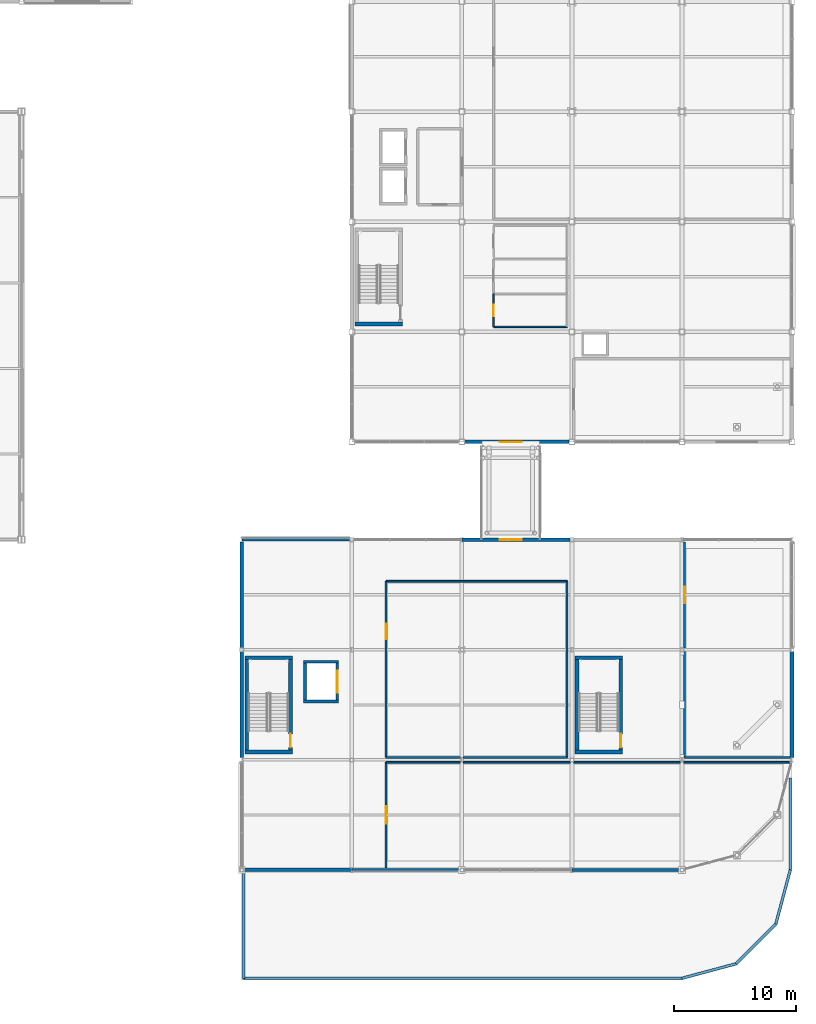
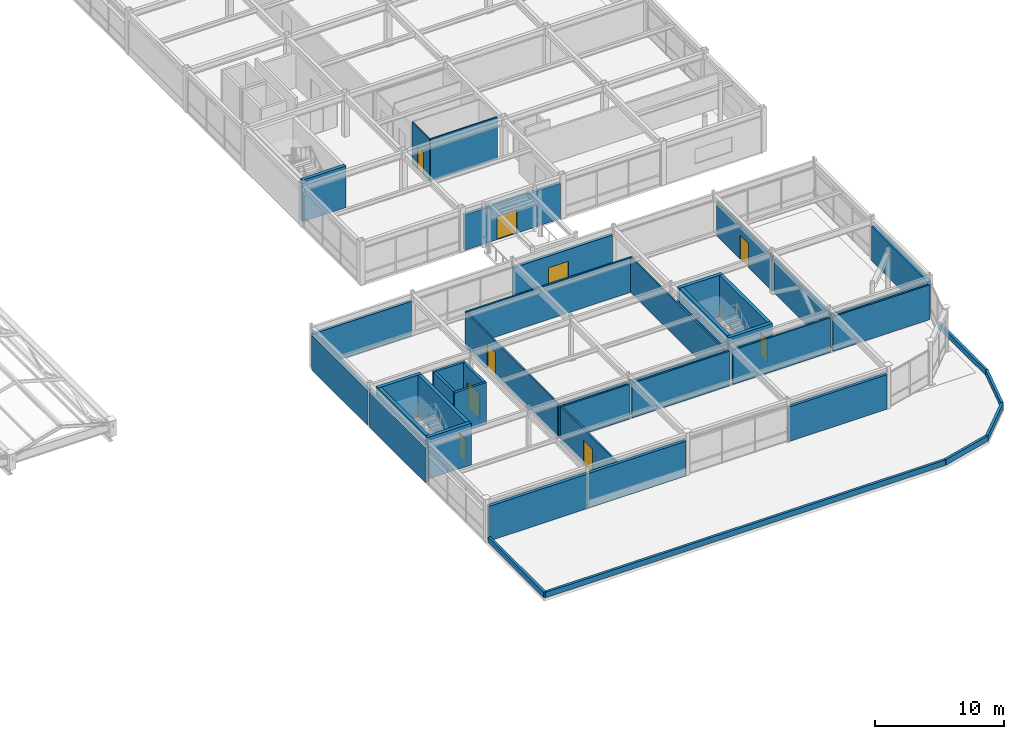
# One storey, part 81 of 108: 43 walls, 9 doors, 9 openings.
"""IFC4 building model written with IfcOpenShell, lengths in metres."""

from ifc_helpers import new_model, si_unit, direction, frame, frame_2d, origin, place, context, subcontext, project, spatial, rectangle, extrude, material, layer, layer_set, type_object, element, fill, save


model = new_model("IFC4")

# Units and contexts
model_context = context("Model", 3, precision=1e-05, world=origin(), true_north=direction((0.0, 1.0)))
body_context = subcontext(model_context, "Body", "Model", "MODEL_VIEW")
ifc_project = project(units=[si_unit("LENGTHUNIT", "METRE"), si_unit("AREAUNIT", "SQUARE_METRE"), si_unit("VOLUMEUNIT", "CUBIC_METRE"), si_unit("PLANEANGLEUNIT", "RADIAN"), si_unit("MASSUNIT", "GRAM", prefix="KILO")], contexts=[model_context])

# Site, building, storey
site_placement = place(None, origin())
site = spatial("IfcSite", under=ifc_project, at=site_placement, CompositionType="ELEMENT")
building_placement = place(site_placement, origin())
building = spatial("IfcBuilding", under=site, at=building_placement, Name="Suzunagisa Mobility Hub", CompositionType="ELEMENT")
storey_placement = place(building_placement, frame((0.0, 0.0, 9.300048828125)))
storey = spatial("IfcBuildingStorey", under=building, at=storey_placement, Name="L02", CompositionType="ELEMENT", Elevation=9.300048828125)

# Walls
ifc_material_1 = material(Name="Porcelain-Faced Insulated Concrete C30/37 Wall", Category="concrete")
ifc_layer_1 = layer(ifc_material_1, 0.260009765625)
ifc_layer_set_1 = layer_set([ifc_layer_1], Name="Porcelain-Faced Insulated Concrete C30/37 Wall")
wall_type_1 = type_object("IfcWallType", Name="Exterior Wall EW-03 260mm", PredefinedType="SOLIDWALL", material=ifc_layer_set_1)
wall_1_placement = place(storey_placement, frame((144.00439453125, 9.0, 0.0), z_axis=(0.0, 0.0, 1.0), x_axis=(1.0, 0.0, 0.0)))
element("IfcWall", 1, at=wall_1_placement, inside=storey, type_object=wall_type_1, Name="L02 Exterior Facade Wall EW-310", PredefinedType="SOLIDWALL", context=body_context, shape_type="SweptSolid", body=[
    extrude(rectangle(XDim=8.845703125, YDim=0.260009765625, at=frame_2d((4.4228515625, 0.0))), origin(), (0.0, 0.0, 1.0), 3.2900390625),
])
ifc_material_2 = material(Name="Lightweight Insulated Autoclaved Concrete C30/37 Wall", Category="concrete")
ifc_layer_2 = layer(ifc_material_2, 0.239990234375)
ifc_layer_set_2 = layer_set([ifc_layer_2], Name="Lightweight Insulated Autoclaved Concrete C30/37 Wall")
wall_type_2 = type_object("IfcWallType", Name="Exterior Wall EW-04 240mm", PredefinedType="SOLIDWALL", material=ifc_layer_set_2)
wall_2_placement = place(storey_placement, frame((162.00439453125, 9.0, 0.0), z_axis=(0.0, 0.0, 1.0), x_axis=(1.0, 0.0, 0.0)))
element("IfcWall", 2, at=wall_2_placement, inside=storey, type_object=wall_type_2, Name="L02 Exterior Facade Wall EW-311", PredefinedType="SOLIDWALL", context=body_context, shape_type="SweptSolid", body=[
    extrude(rectangle(XDim=8.845703125, YDim=0.239990234375, at=frame_2d((4.4228515625, 0.0))), origin(), (0.0, 0.0, 1.0), 3.2900390625),
])
wall_3_placement = place(storey_placement, frame((143.85009765625, 36.0, 0.0), z_axis=(0.0, 0.0, 1.0), x_axis=(-1.0, 0.0, 0.0)))
element("IfcWall", 3, at=wall_3_placement, inside=storey, type_object=wall_type_2, Name="L02 Exterior Facade Wall EW-315", PredefinedType="SOLIDWALL", context=body_context, shape_type="SweptSolid", body=[
    extrude(rectangle(XDim=8.845703125, YDim=0.239990234375, at=frame_2d((4.4228515625, 0.0))), origin(), (0.0, 0.0, 1.0), 3.300048828125),
])
ifc_material_3 = material(Name="Concrete C30/37", Category="concrete")
ifc_layer_3 = layer(ifc_material_3, 0.219970703125)
ifc_layer_set_3 = layer_set([ifc_layer_3], Name="Concrete C30/37")
wall_type_3 = type_object("IfcWallType", Name="Exterior Wall EW-05 220mm", PredefinedType="PARAPET", material=ifc_layer_set_3)
wall_4_placement = place(storey_placement, frame((135.139892578125, 0.139892578125, 0.0), z_axis=(0.0, 0.0, 1.0), x_axis=(0.0, 1.0, 0.0)))
element("IfcWall", 4, at=wall_4_placement, inside=storey, type_object=wall_type_3, Name="L02 Roof Setback Parapet PR-471", PredefinedType="PARAPET", context=body_context, shape_type="SweptSolid", body=[
    extrude(rectangle(XDim=8.610107421875, YDim=0.219970703125, at=frame_2d((4.30517578125, 0.0))), origin(), (0.0, 0.0, 1.0), 0.52001953125),
])
wall_5_placement = place(storey_placement, frame((179.860107421875, 16.51171875, 0.0), z_axis=(0.0, 0.0, 1.0), x_axis=(0.0, -1.0, 0.0)))
element("IfcWall", 5, at=wall_5_placement, inside=storey, type_object=wall_type_3, Name="L02 Roof Setback Parapet PR-472", PredefinedType="PARAPET", context=body_context, shape_type="SweptSolid", body=[
    extrude(rectangle(XDim=7.493408203125, YDim=0.219970703125, at=frame_2d((3.74658203125, 0.0))), origin(), (0.0, 0.0, 1.0), 0.52001953125),
])
wall_6_placement = place(storey_placement, frame((179.860107421875, 9.018310546875, 0.0), z_axis=(0.0, 0.0, 1.0), x_axis=(-0.258850976204, -0.965917269811, 0.0)))
element("IfcWall", 6, at=wall_6_placement, inside=storey, type_object=wall_type_3, Name="L02 Roof Setback Parapet PR-473", PredefinedType="PARAPET", context=body_context, shape_type="SweptSolid", body=[
    extrude(rectangle(XDim=4.602783203125, YDim=0.219970703125, at=frame_2d((2.30126953125, 0.0))), origin(), (0.0, 0.0, 1.0), 0.52001953125),
])
wall_7_placement = place(storey_placement, frame((178.668701171875, 4.572509765625, 0.0), z_axis=(0.0, 0.0, 1.0), x_axis=(-0.707106781187, -0.707106781187, 0.0)))
element("IfcWall", 7, at=wall_7_placement, inside=storey, type_object=wall_type_3, Name="L02 Roof Setback Parapet PR-474", PredefinedType="PARAPET", context=body_context, shape_type="SweptSolid", body=[
    extrude(rectangle(XDim=4.583740234375, YDim=0.219970703125, at=frame_2d((2.2919921875, 0.0))), origin(), (0.0, 0.0, 1.0), 0.52001953125),
])
wall_8_placement = place(storey_placement, frame((175.427490234375, 1.331298828125, 0.0), z_axis=(0.0, 0.0, 1.0), x_axis=(-0.965917269811, -0.258850976204, 0.0)))
element("IfcWall", 8, at=wall_8_placement, inside=storey, type_object=wall_type_3, Name="L02 Roof Setback Parapet PR-475", PredefinedType="PARAPET", context=body_context, shape_type="SweptSolid", body=[
    extrude(rectangle(XDim=4.602783203125, YDim=0.219970703125, at=frame_2d((2.30126953125, 0.0))), origin(), (0.0, 0.0, 1.0), 0.52001953125),
])
wall_9_placement = place(storey_placement, frame((170.981689453125, 0.139892578125, 0.0), z_axis=(0.0, 0.0, 1.0), x_axis=(-1.0, 0.0, 0.0)))
element("IfcWall", 9, at=wall_9_placement, inside=storey, type_object=wall_type_3, Name="L02 Roof Setback Parapet PR-476", PredefinedType="PARAPET", context=body_context, shape_type="SweptSolid", body=[
    extrude(rectangle(XDim=35.841796875, YDim=0.219970703125, at=frame_2d((17.9208984375, 0.0))), origin(), (0.0, 0.0, 1.0), 0.52001953125),
])
ifc_layer_4 = layer(ifc_material_1, 0.280029296875)
ifc_layer_set_4 = layer_set([ifc_layer_4], Name="Porcelain-Faced Insulated Concrete C30/37 Wall")
wall_type_4 = type_object("IfcWallType", Name="Exterior Wall EW-08 280mm", PredefinedType="SOLIDWALL", material=ifc_layer_set_4)
wall_10_placement = place(storey_placement, frame((135.14990234375, 9.0, 0.0), z_axis=(0.0, 0.0, 1.0), x_axis=(1.0, 0.0, 0.0)))
element("IfcWall", 10, at=wall_10_placement, inside=storey, type_object=wall_type_4, Name="L02 Exterior Facade Wall EW-309", PredefinedType="SOLIDWALL", context=body_context, shape_type="SweptSolid", body=[
    extrude(rectangle(XDim=8.845703125, YDim=0.280029296875, at=frame_2d((4.4228515625, 0.0))), origin(), (0.0, 0.0, 1.0), 3.2900390625),
])

# Wall, opening, door
wall_11_placement = place(storey_placement, frame((161.85009765625, 36.0, 0.0), z_axis=(0.0, 0.0, 1.0), x_axis=(-1.0, 0.0, 0.0)))
wall_11 = element("IfcWall", 11, at=wall_11_placement, inside=storey, type_object=wall_type_4, Name="L02 Skybridge Portal Facade Wall 314", PredefinedType="SOLIDWALL", context=body_context, shape_type="SweptSolid", body=[
    extrude(rectangle(XDim=8.845703125, YDim=0.280029296875, at=frame_2d((4.4228515625, 0.0))), origin(), (0.0, 0.0, 1.0), 3.300048828125),
])
opening_1_placement = place(wall_11_placement, frame((5.75, 0.0, 0.0), z_axis=(0.0, 0.0, 1.0), x_axis=(-1.0, 0.0, 0.0)))
opening_1 = element("IfcOpeningElement", 12, at=opening_1_placement, cuts=wall_11, Name="Opening ED-12", PredefinedType="OPENING", context=body_context, shape_type="SweptSolid", body=[
    extrude(rectangle(XDim=1.800048828125, YDim=2.199951171875, at=frame_2d((0.89990234375, 1.10009765625))), frame((0.0, 0.15087890625, 0.0), z_axis=(0.0, -1.0, 0.0), x_axis=(1.0, 0.0, 0.0)), (0.0, 0.0, 1.0), 0.302001953125),
])
ifc_material_4 = material(Name="Anodized Aluminum and Tempered Safety Glass", Category="aluminium")
door_type_1 = type_object("IfcDoorType", Name="Exterior Glazed Aluminum Door ED-12 1800x2200", OperationType="DOUBLE_DOOR_SINGLE_SWING", PredefinedType="DOOR", material=ifc_material_4)
door_1_placement = place(opening_1_placement, origin())
door_1 = element("IfcDoor", 13, at=door_1_placement, inside=storey, type_object=door_type_1, Name="L02 Skybridge Portal Glazed Door BD-34", OperationType="SINGLE_SWING_LEFT", OverallHeight=2.199951171875, OverallWidth=1.800048828125, PredefinedType="DOOR", context=body_context, shape_type="SweptSolid", body=[
    extrude(rectangle(XDim=1.800048828125, YDim=2.199951171875, at=frame_2d((0.89990234375, 1.10009765625))), frame((0.0, 0.02490234375, 0.0), z_axis=(0.0, -1.0, 0.0), x_axis=(1.0, 0.0, 0.0)), (0.0, 0.0, 1.0), 0.050048828125),
])
fill(opening_1, door_1)

# Wall
wall_12_placement = place(storey_placement, frame((135.0, 26.85009765625, 0.0), z_axis=(0.0, 0.0, 1.0), x_axis=(0.0, -1.0, 0.0)))
element("IfcWall", 14, at=wall_12_placement, inside=storey, type_object=wall_type_4, Name="L02 Exterior Facade Wall EW-317", PredefinedType="SOLIDWALL", context=body_context, shape_type="SweptSolid", body=[
    extrude(rectangle(XDim=8.68017578125, YDim=0.280029296875, at=frame_2d((4.340087890625, 0.0))), origin(), (0.0, 0.0, 1.0), 3.2900390625),
])

# Wall, opening, door
wall_13_placement = place(storey_placement, frame((153.22509765625, 44.0, 0.0), z_axis=(0.0, 0.0, 1.0), x_axis=(1.0, 0.0, 0.0)))
wall_13 = element("IfcWall", 15, at=wall_13_placement, inside=storey, type_object=wall_type_4, Name="L02 Skybridge Portal Facade Wall 370", PredefinedType="SOLIDWALL", context=body_context, shape_type="SweptSolid", body=[
    extrude(rectangle(XDim=8.5498046875, YDim=0.280029296875, at=frame_2d((4.27490234375, 0.0))), origin(), (0.0, 0.0, 1.0), 3.362060546875),
])
opening_2_placement = place(wall_13_placement, frame((4.675048828125, 0.0, 0.0), z_axis=(0.0, 0.0, 1.0), x_axis=(-1.0, 0.0, 0.0)))
opening_2 = element("IfcOpeningElement", 16, at=opening_2_placement, cuts=wall_13, Name="Opening ED-12", PredefinedType="OPENING", context=body_context, shape_type="SweptSolid", body=[
    extrude(rectangle(XDim=1.800048828125, YDim=2.199951171875, at=frame_2d((0.89990234375, 1.10009765625))), frame((0.0, 0.15087890625, 0.0), z_axis=(0.0, -1.0, 0.0), x_axis=(1.0, 0.0, 0.0)), (0.0, 0.0, 1.0), 0.302001953125),
])
door_2_placement = place(opening_2_placement, origin())
door_2 = element("IfcDoor", 17, at=door_2_placement, inside=storey, type_object=door_type_1, Name="L02 Skybridge Portal Glazed Door BD-38", OperationType="SINGLE_SWING_LEFT", OverallHeight=2.199951171875, OverallWidth=1.800048828125, PredefinedType="DOOR", context=body_context, shape_type="SweptSolid", body=[
    extrude(rectangle(XDim=1.800048828125, YDim=2.199951171875, at=frame_2d((0.89990234375, 1.10009765625))), frame((0.0, 0.02490234375, 0.0), z_axis=(0.0, -1.0, 0.0), x_axis=(1.0, 0.0, 0.0)), (0.0, 0.0, 1.0), 0.050048828125),
])
fill(opening_2, door_2)

# Walls
ifc_material_5 = material(Name="Insulated Precast Concrete C35/45 Panel", Category="concrete")
ifc_layer_5 = layer(ifc_material_5, 0.300048828125)
ifc_layer_set_5 = layer_set([ifc_layer_5], Name="Insulated Precast Concrete C35/45 Panel")
wall_type_5 = type_object("IfcWallType", Name="Exterior Wall EW-09 300mm", PredefinedType="SOLIDWALL", material=ifc_layer_set_5)
for number, where, z_axis, x_axis, name in (
    (18, (180.0, 18.169921875, 0.0), (0.0, 0.0, 1.0), (0.0, 1.0, 0.0), "L02 Exterior Facade Wall EW-312"),
    (19, (135.0, 35.830078125, 0.0), (0.0, 0.0, 1.0), (0.0, -1.0, 0.0), "L02 Exterior Facade Wall EW-316"),
):
    element("IfcWall", number, at=place(storey_placement, frame(where, z_axis=z_axis, x_axis=x_axis)), inside=storey, type_object=wall_type_5, Name=name, PredefinedType="SOLIDWALL", context=body_context, shape_type="SweptSolid", body=[
        extrude(rectangle(XDim=8.68017578125, YDim=0.300048828125, at=frame_2d((4.340087890625, 0.0))), origin(), (0.0, 0.0, 1.0), 3.2900390625),
    ])
ifc_material_6 = material(Name="Concrete C35/45", Category="concrete")
ifc_layer_6 = layer(ifc_material_6, 0.31005859375)
ifc_layer_set_6 = layer_set([ifc_layer_6], Name="Concrete C35/45")
wall_type_6 = type_object("IfcWallType", Name="Interior Wall IW-01 310mm", PredefinedType="SHEAR", material=ifc_layer_set_6)
for number, where, z_axis, x_axis, name in (
    (20, (135.25, 18.64501953125, 0.0), (0.0, 0.0, 1.0), (1.0, 0.0, 0.0), "L02 Core C7 Shear Wall SW-325"),
    (21, (135.25, 26.35498046875, 0.0), (0.0, 0.0, 1.0), (1.0, 0.0, 0.0), "L02 Core C7 Shear Wall SW-326"),
):
    element("IfcWall", number, at=place(storey_placement, frame(where, z_axis=z_axis, x_axis=x_axis)), inside=storey, type_object=wall_type_6, Name=name, PredefinedType="SHEAR", context=body_context, shape_type="SweptSolid", body=[
        extrude(rectangle(XDim=3.89990234375, YDim=0.31005859375, at=frame_2d((1.949951171875, 0.0))), origin(), (0.0, 0.0, 1.0), 3.949951171875),
    ])
wall_14_placement = place(storey_placement, frame((135.405029296875, 18.800048828125, 0.0), z_axis=(0.0, 0.0, 1.0), x_axis=(0.0, 1.0, 0.0)))
element("IfcWall", 22, at=wall_14_placement, inside=storey, type_object=wall_type_6, Name="L02 Core C7 Shear Wall SW-327", PredefinedType="SHEAR", context=body_context, shape_type="SweptSolid", body=[
    extrude(rectangle(XDim=7.39990234375, YDim=0.31005859375, at=frame_2d((3.699951171875, 0.0))), origin(), (0.0, 0.0, 1.0), 3.949951171875),
])

# Wall, opening, door
wall_15_placement = place(storey_placement, frame((138.9951171875, 18.800048828125, 0.0), z_axis=(0.0, 0.0, 1.0), x_axis=(0.0, 1.0, 0.0)))
wall_15 = element("IfcWall", 23, at=wall_15_placement, inside=storey, type_object=wall_type_6, Name="L02 Core C7 Shear Wall SW-328", PredefinedType="SHEAR", context=body_context, shape_type="SweptSolid", body=[
    extrude(rectangle(XDim=7.39990234375, YDim=0.31005859375, at=frame_2d((3.699951171875, 0.0))), origin(), (0.0, 0.0, 1.0), 3.949951171875),
])
opening_3_placement = place(wall_15_placement, frame((0.219970703125, 0.0, 0.0)))
opening_3 = element("IfcOpeningElement", 24, at=opening_3_placement, cuts=wall_15, Name="Opening DR-05", PredefinedType="OPENING", context=body_context, shape_type="SweptSolid", body=[
    extrude(rectangle(XDim=1.10009765625, YDim=2.14990234375, at=frame_2d((0.550048828125, 1.074951171875))), frame((0.0, 0.166015625, 0.0), z_axis=(0.0, -1.0, 0.0), x_axis=(1.0, 0.0, 0.0)), (0.0, 0.0, 1.0), 0.33203125),
])
ifc_material_7 = material(Name="Fire-Rated Hollow Steel Stair Door", Category="steel")
door_type_2 = type_object("IfcDoorType", Name="Interior Door DR-05 1100x2150", OperationType="SINGLE_SWING_LEFT", PredefinedType="DOOR", material=ifc_material_7)
door_3_placement = place(opening_3_placement, origin())
door_3 = element("IfcDoor", 25, at=door_3_placement, inside=storey, type_object=door_type_2, Name="L02 Core C7 Escape Stair Fire Door SD-80", OperationType="SINGLE_SWING_LEFT", OverallHeight=2.14990234375, OverallWidth=1.10009765625, PredefinedType="DOOR", context=body_context, shape_type="SweptSolid", body=[
    extrude(rectangle(XDim=1.10009765625, YDim=2.14990234375, at=frame_2d((0.550048828125, 1.074951171875))), frame((0.0, 0.02490234375, 0.0), z_axis=(0.0, -1.0, 0.0), x_axis=(1.0, 0.0, 0.0)), (0.0, 0.0, 1.0), 0.050048828125),
])
fill(opening_3, door_3)

# Walls
for number, where, z_axis, x_axis, name in (
    (26, (162.25, 18.64501953125, 0.0), (0.0, 0.0, 1.0), (1.0, 0.0, 0.0), "L02 Core C7B Shear Wall SW-357"),
    (27, (162.25, 26.35498046875, 0.0), (0.0, 0.0, 1.0), (1.0, 0.0, 0.0), "L02 Core C7B Shear Wall SW-358"),
):
    element("IfcWall", number, at=place(storey_placement, frame(where, z_axis=z_axis, x_axis=x_axis)), inside=storey, type_object=wall_type_6, Name=name, PredefinedType="SHEAR", context=body_context, shape_type="SweptSolid", body=[
        extrude(rectangle(XDim=3.89990234375, YDim=0.31005859375, at=frame_2d((1.949951171875, 0.0))), origin(), (0.0, 0.0, 1.0), 3.949951171875),
    ])
wall_16_placement = place(storey_placement, frame((162.405029296875, 18.800048828125, 0.0), z_axis=(0.0, 0.0, 1.0), x_axis=(0.0, 1.0, 0.0)))
element("IfcWall", 28, at=wall_16_placement, inside=storey, type_object=wall_type_6, Name="L02 Core C7B Shear Wall SW-359", PredefinedType="SHEAR", context=body_context, shape_type="SweptSolid", body=[
    extrude(rectangle(XDim=7.39990234375, YDim=0.31005859375, at=frame_2d((3.699951171875, 0.0))), origin(), (0.0, 0.0, 1.0), 3.949951171875),
])

# Wall, opening, door
wall_17_placement = place(storey_placement, frame((165.9951171875, 18.800048828125, 0.0), z_axis=(0.0, 0.0, 1.0), x_axis=(0.0, 1.0, 0.0)))
wall_17 = element("IfcWall", 29, at=wall_17_placement, inside=storey, type_object=wall_type_6, Name="L02 Core C7B Shear Wall SW-360", PredefinedType="SHEAR", context=body_context, shape_type="SweptSolid", body=[
    extrude(rectangle(XDim=7.39990234375, YDim=0.31005859375, at=frame_2d((3.699951171875, 0.0))), origin(), (0.0, 0.0, 1.0), 3.949951171875),
])
opening_4_placement = place(wall_17_placement, frame((0.219970703125, 0.0, 0.0)))
opening_4 = element("IfcOpeningElement", 30, at=opening_4_placement, cuts=wall_17, Name="Opening DR-05", PredefinedType="OPENING", context=body_context, shape_type="SweptSolid", body=[
    extrude(rectangle(XDim=1.10009765625, YDim=2.14990234375, at=frame_2d((0.550048828125, 1.074951171875))), frame((0.0, 0.166015625, 0.0), z_axis=(0.0, -1.0, 0.0), x_axis=(1.0, 0.0, 0.0)), (0.0, 0.0, 1.0), 0.33203125),
])
door_4_placement = place(opening_4_placement, origin())
door_4 = element("IfcDoor", 31, at=door_4_placement, inside=storey, type_object=door_type_2, Name="L02 Core C7B Escape Stair Fire Door SD-87", OperationType="SINGLE_SWING_RIGHT", OverallHeight=2.14990234375, OverallWidth=1.10009765625, PredefinedType="DOOR", context=body_context, shape_type="SweptSolid", body=[
    extrude(rectangle(XDim=1.10009765625, YDim=2.14990234375, at=frame_2d((0.550048828125, 1.074951171875))), frame((0.0, 0.02490234375, 0.0), z_axis=(0.0, -1.0, 0.0), x_axis=(1.0, 0.0, 0.0)), (0.0, 0.0, 1.0), 0.050048828125),
])
fill(opening_4, door_4)

# Walls
wall_18_placement = place(storey_placement, frame((144.25, 53.64501953125, 0.0), z_axis=(0.0, 0.0, 1.0), x_axis=(1.0, 0.0, 0.0)))
element("IfcWall", 32, at=wall_18_placement, inside=storey, type_object=wall_type_6, Name="L02 Core C5 Shear Wall SW-401", PredefinedType="SHEAR", context=body_context, shape_type="SweptSolid", body=[
    extrude(rectangle(XDim=3.89990234375, YDim=0.31005859375, at=frame_2d((1.949951171875, 0.0))), origin(), (0.0, 0.0, 1.0), 3.949951171875),
])
ifc_material_8 = material(Name="Moisture-Resistant Gypsum Partition", Category="gypsum")
ifc_layer_7 = layer(ifc_material_8, 0.1201171875)
ifc_layer_set_7 = layer_set([ifc_layer_7], Name="Moisture-Resistant Gypsum Partition")
wall_type_7 = type_object("IfcWallType", Name="Interior Wall IW-02 120mm", PredefinedType="PARTITIONING", material=ifc_layer_set_7)
wall_19_placement = place(storey_placement, frame((155.60009765625, 53.39990234375, 0.0), z_axis=(0.0, 0.0, 1.0), x_axis=(1.0, 0.0, 0.0)))
element("IfcWall", 33, at=wall_19_placement, inside=storey, type_object=wall_type_7, Name="L02 Male Restroom WC L02 Partition PW-595", PredefinedType="PARTITIONING", context=body_context, shape_type="SweptSolid", body=[
    extrude(rectangle(XDim=6.0, YDim=0.1201171875, at=frame_2d((3.0, 0.0))), origin(), (0.0, 0.0, 1.0), 3.949951171875),
])

# Wall, opening, door
wall_20_placement = place(storey_placement, frame((155.60009765625, 53.39990234375, 0.0), z_axis=(0.0, 0.0, 1.0), x_axis=(0.0, 1.0, 0.0)))
wall_20 = element("IfcWall", 34, at=wall_20_placement, inside=storey, type_object=wall_type_7, Name="L02 Male Restroom WC L02 Partition PW-597", PredefinedType="PARTITIONING", context=body_context, shape_type="SweptSolid", body=[
    extrude(rectangle(XDim=2.7001953125, YDim=0.1201171875, at=frame_2d((1.35009765625, 0.0))), origin(), (0.0, 0.0, 1.0), 3.949951171875),
])
opening_5_placement = place(wall_20_placement, frame((0.889892578125, 0.0, 0.0)))
opening_5 = element("IfcOpeningElement", 35, at=opening_5_placement, cuts=wall_20, Name="Opening DR-02", PredefinedType="OPENING", context=body_context, shape_type="SweptSolid", body=[
    extrude(rectangle(XDim=0.919921875, YDim=2.10009765625, at=frame_2d((0.4599609375, 1.050048828125))), frame((0.0, 0.071044921875, 0.0), z_axis=(0.0, -1.0, 0.0), x_axis=(1.0, 0.0, 0.0)), (0.0, 0.0, 1.0), 0.14208984375),
])
ifc_material_9 = material(Name="Sanitary Restroom Laminate Door")
door_type_3 = type_object("IfcDoorType", Name="Interior Door DR-02 920x2100", OperationType="SINGLE_SWING_LEFT", PredefinedType="DOOR", material=ifc_material_9)
door_5_placement = place(opening_5_placement, origin())
door_5 = element("IfcDoor", 36, at=door_5_placement, inside=storey, type_object=door_type_3, Name="L02 Male Restroom WC L02 Door DR-146", OperationType="SINGLE_SWING_LEFT", OverallHeight=2.10009765625, OverallWidth=0.919921875, PredefinedType="DOOR", context=body_context, shape_type="SweptSolid", body=[
    extrude(rectangle(XDim=0.919921875, YDim=2.10009765625, at=frame_2d((0.4599609375, 1.050048828125))), frame((0.0, 0.02490234375, 0.0), z_axis=(0.0, -1.0, 0.0), x_axis=(1.0, 0.0, 0.0)), (0.0, 0.0, 1.0), 0.050048828125),
])
fill(opening_5, door_5)

ifc_material_10 = material(Name="Fire-Rated Gypsum Stud Partition", Category="gypsum")
ifc_layer_8 = layer(ifc_material_10, 0.2099609375)
ifc_layer_set_8 = layer_set([ifc_layer_8], Name="Fire-Rated Gypsum Stud Partition")
wall_type_8 = type_object("IfcWallType", Name="Interior Wall IW-03 210mm", PredefinedType="PARTITIONING", material=ifc_layer_set_8)
wall_21_placement = place(storey_placement, frame((142.824951171875, 22.8798828125, 0.0), z_axis=(0.0, 0.0, 1.0), x_axis=(0.0, 1.0, 0.0)))
wall_21 = element("IfcWall", 37, at=wall_21_placement, inside=storey, type_object=wall_type_8, Name="L02 Lift LF-08 Shaft Front Wall", PredefinedType="PARTITIONING", context=body_context, shape_type="SweptSolid", body=[
    extrude(rectangle(XDim=3.0400390625, YDim=0.2099609375, at=frame_2d((1.52001953125, 0.0))), origin(), (0.0, 0.0, 1.0), 3.949951171875),
])
opening_6_placement = place(wall_21_placement, frame((0.6201171875, 0.0, 0.0)))
opening_6 = element("IfcOpeningElement", 38, at=opening_6_placement, cuts=wall_21, Name="Opening LD-04", PredefinedType="OPENING", context=body_context, shape_type="SweptSolid", body=[
    extrude(rectangle(XDim=1.800048828125, YDim=2.39990234375, at=frame_2d((0.89990234375, 1.199951171875))), frame((0.0, 0.115966796875, 0.0), z_axis=(0.0, -1.0, 0.0), x_axis=(1.0, 0.0, 0.0)), (0.0, 0.0, 1.0), 0.23193359375),
])
ifc_material_11 = material(Name="Brushed Stainless Steel SUS304", Category="metal")
door_type_4 = type_object("IfcDoorType", Name="Lift Landing Sliding Door LD-04 1800x2400", OperationType="SLIDING_TO_LEFT", PredefinedType="DOOR", material=ifc_material_11)
door_6_placement = place(opening_6_placement, origin())
door_6 = element("IfcDoor", 39, at=door_6_placement, inside=storey, type_object=door_type_4, Name="L02 Lift LF-08 Sliding Landing Door", OperationType="SLIDING_TO_LEFT", OverallHeight=2.39990234375, OverallWidth=1.800048828125, PredefinedType="DOOR", context=body_context, shape_type="SweptSolid", body=[
    extrude(rectangle(XDim=1.800048828125, YDim=2.39990234375, at=frame_2d((0.89990234375, 1.199951171875))), frame((0.0, 0.02490234375, 0.0), z_axis=(0.0, -1.0, 0.0), x_axis=(1.0, 0.0, 0.0)), (0.0, 0.0, 1.0), 0.050048828125),
])
fill(opening_6, door_6)

# Walls
wall_22_placement = place(storey_placement, frame((140.175048828125, 22.8798828125, 0.0), z_axis=(0.0, 0.0, 1.0), x_axis=(0.0, 1.0, 0.0)))
element("IfcWall", 40, at=wall_22_placement, inside=storey, type_object=wall_type_8, Name="L02 Lift LF-08 Shaft Back Wall", PredefinedType="PARTITIONING", context=body_context, shape_type="SweptSolid", body=[
    extrude(rectangle(XDim=3.0400390625, YDim=0.2099609375, at=frame_2d((1.52001953125, 0.0))), origin(), (0.0, 0.0, 1.0), 3.949951171875),
])
for number, where, z_axis, x_axis, name in (
    (41, (140.070068359375, 22.77490234375, 0.0), (0.0, 0.0, 1.0), (1.0, 0.0, 0.0), "L02 Lift LF-08 Shaft South Wall"),
    (42, (140.070068359375, 26.02490234375, 0.0), (0.0, 0.0, 1.0), (1.0, 0.0, 0.0), "L02 Lift LF-08 Shaft North Wall"),
):
    element("IfcWall", number, at=place(storey_placement, frame(where, z_axis=z_axis, x_axis=x_axis)), inside=storey, type_object=wall_type_8, Name=name, PredefinedType="PARTITIONING", context=body_context, shape_type="SweptSolid", body=[
        extrude(rectangle(XDim=2.85986328125, YDim=0.2099609375, at=frame_2d((1.429931640625, 0.0))), origin(), (0.0, 0.0, 1.0), 3.949951171875),
    ])
ifc_layer_9 = layer(ifc_material_10, 0.169921875)
ifc_layer_set_9 = layer_set([ifc_layer_9], Name="Fire-Rated Gypsum Stud Partition")
wall_type_9 = type_object("IfcWallType", Name="Interior Wall IW-05 170mm", PredefinedType="PARTITIONING", material=ifc_layer_set_9)
wall_23_placement = place(storey_placement, frame((171.199951171875, 18.199951171875, 0.0), z_axis=(0.0, 0.0, 1.0), x_axis=(1.0, 0.0, 0.0)))
element("IfcWall", 43, at=wall_23_placement, inside=storey, type_object=wall_type_9, Name="L02 East Fleet Telemetry Calibration Bay L02 Partition PW-824", PredefinedType="PARTITIONING", context=body_context, shape_type="SweptSolid", body=[
    extrude(rectangle(XDim=8.635009765625, YDim=0.169921875, at=frame_2d((4.3173828125, 0.0))), origin(), (0.0, 0.0, 1.0), 3.2900390625),
])
wall_24_placement = place(storey_placement, frame((171.199951171875, 18.199951171875, 0.0), z_axis=(0.0, 0.0, 1.0), x_axis=(0.0, 1.0, 0.0)))
element("IfcWall", 44, at=wall_24_placement, inside=storey, type_object=wall_type_9, Name="L02 East Fleet Telemetry Calibration Bay L02 Partition PW-825", PredefinedType="PARTITIONING", context=body_context, shape_type="SweptSolid", body=[
    extrude(rectangle(XDim=8.650146484375, YDim=0.169921875, at=frame_2d((4.3251953125, 0.0))), origin(), (0.0, 0.0, 1.0), 3.2900390625),
])

# Wall, opening, door
wall_25_placement = place(storey_placement, frame((171.199951171875, 27.14990234375, 0.0), z_axis=(0.0, 0.0, 1.0), x_axis=(0.0, 1.0, 0.0)))
wall_25 = element("IfcWall", 45, at=wall_25_placement, inside=storey, type_object=wall_type_9, Name="L02 East Fleet Telemetry Calibration Bay L02 Partition PW-826", PredefinedType="PARTITIONING", context=body_context, shape_type="SweptSolid", body=[
    extrude(rectangle(XDim=8.68505859375, YDim=0.169921875, at=frame_2d((4.342529296875, 0.0))), origin(), (0.0, 0.0, 1.0), 3.300048828125),
])
opening_7_placement = place(wall_25_placement, frame((3.675048828125, 0.0, 0.0)))
opening_7 = element("IfcOpeningElement", 46, at=opening_7_placement, cuts=wall_25, Name="Opening DR-10", PredefinedType="OPENING", context=body_context, shape_type="SweptSolid", body=[
    extrude(rectangle(XDim=1.35009765625, YDim=2.25, at=frame_2d((0.675048828125, 1.125))), frame((0.0, 0.095947265625, 0.0), z_axis=(0.0, -1.0, 0.0), x_axis=(1.0, 0.0, 0.0)), (0.0, 0.0, 1.0), 0.19189453125),
])
ifc_material_12 = material(Name="Anodized Aluminum Leaf-and-Half Door", Category="aluminium")
door_type_5 = type_object("IfcDoorType", Name="Interior Door DR-10 1350x2250", OperationType="SINGLE_SWING_LEFT", PredefinedType="DOOR", material=ifc_material_12)
door_7_placement = place(opening_7_placement, origin())
door_7 = element("IfcDoor", 47, at=door_7_placement, inside=storey, type_object=door_type_5, Name="L02 East Fleet Telemetry Calibration Bay L02 Door DR-206", OperationType="SINGLE_SWING_LEFT", OverallHeight=2.25, OverallWidth=1.35009765625, PredefinedType="DOOR", context=body_context, shape_type="SweptSolid", body=[
    extrude(rectangle(XDim=1.35009765625, YDim=2.25, at=frame_2d((0.675048828125, 1.125))), frame((0.0, 0.02490234375, 0.0), z_axis=(0.0, -1.0, 0.0), x_axis=(1.0, 0.0, 0.0)), (0.0, 0.0, 1.0), 0.050048828125),
])
fill(opening_7, door_7)

# Walls
ifc_material_13 = material(Name="Acoustic Steel-Stud Gypsum Partition", Category="steel")
ifc_layer_10 = layer(ifc_material_13, 0.14501953125)
ifc_layer_set_10 = layer_set([ifc_layer_10], Name="Acoustic Steel-Stud Gypsum Partition")
wall_type_10 = type_object("IfcWallType", Name="Interior Wall IW-06 145mm", PredefinedType="PARTITIONING", material=ifc_layer_set_10)
wall_26_placement = place(storey_placement, frame((146.800048828125, 18.199951171875, 0.0), z_axis=(0.0, 0.0, 1.0), x_axis=(1.0, 0.0, 0.0)))
element("IfcWall", 48, at=wall_26_placement, inside=storey, type_object=wall_type_10, Name="L02 Clean-Tech Light Fleet Diagnostics Studio L02 Partition PW-819", PredefinedType="PARTITIONING", context=body_context, shape_type="SweptSolid", body=[
    extrude(rectangle(XDim=6.074951171875, YDim=0.14501953125, at=frame_2d((3.03759765625, 0.0))), origin(), (0.0, 0.0, 1.0), 3.2900390625),
])
wall_27_placement = place(storey_placement, frame((153.125, 18.199951171875, 0.0), z_axis=(0.0, 0.0, 1.0), x_axis=(1.0, 0.0, 0.0)))
element("IfcWall", 49, at=wall_27_placement, inside=storey, type_object=wall_type_10, Name="L02 Clean-Tech Light Fleet Diagnostics Studio L02 Partition PW-820", PredefinedType="PARTITIONING", context=body_context, shape_type="SweptSolid", body=[
    extrude(rectangle(XDim=8.47509765625, YDim=0.14501953125, at=frame_2d((4.237548828125, 0.0))), origin(), (0.0, 0.0, 1.0), 3.2900390625),
])
wall_28_placement = place(storey_placement, frame((146.800048828125, 32.60009765625, 0.0), z_axis=(0.0, 0.0, 1.0), x_axis=(1.0, 0.0, 0.0)))
element("IfcWall", 50, at=wall_28_placement, inside=storey, type_object=wall_type_10, Name="L02 Clean-Tech Light Fleet Diagnostics Studio L02 Partition PW-821", PredefinedType="PARTITIONING", context=body_context, shape_type="SweptSolid", body=[
    extrude(rectangle(XDim=14.800048828125, YDim=0.14501953125, at=frame_2d((7.39990234375, 0.0))), origin(), (0.0, 0.0, 1.0), 3.300048828125),
])

# Wall, opening, door
wall_29_placement = place(storey_placement, frame((146.800048828125, 18.199951171875, 0.0), z_axis=(0.0, 0.0, 1.0), x_axis=(0.0, 1.0, 0.0)))
wall_29 = element("IfcWall", 51, at=wall_29_placement, inside=storey, type_object=wall_type_10, Name="L02 Clean-Tech Light Fleet Diagnostics Studio L02 Partition PW-822", PredefinedType="PARTITIONING", context=body_context, shape_type="SweptSolid", body=[
    extrude(rectangle(XDim=14.400146484375, YDim=0.14501953125, at=frame_2d((7.2001953125, 0.0))), origin(), (0.0, 0.0, 1.0), 3.33984375),
])
opening_8_placement = place(wall_29_placement, frame((9.659912109375, 0.0, 0.0)))
opening_8 = element("IfcOpeningElement", 52, at=opening_8_placement, cuts=wall_29, Name="Opening DR-29", PredefinedType="OPENING", context=body_context, shape_type="SweptSolid", body=[
    extrude(rectangle(XDim=1.280029296875, YDim=2.300048828125, at=frame_2d((0.64013671875, 1.14990234375))), frame((0.0, 0.08349609375, 0.0), z_axis=(0.0, -1.0, 0.0), x_axis=(1.0, 0.0, 0.0)), (0.0, 0.0, 1.0), 0.1669921875),
])
ifc_material_14 = material(Name="Anodized Aluminum Glazed Leaf Door", Category="aluminium")
door_type_6 = type_object("IfcDoorType", Name="Interior Door DR-29 1280x2300", OperationType="SINGLE_SWING_LEFT", PredefinedType="DOOR", material=ifc_material_14)
door_8_placement = place(opening_8_placement, origin())
door_8 = element("IfcDoor", 53, at=door_8_placement, inside=storey, type_object=door_type_6, Name="L02 Clean-Tech Light Fleet Diagnostics Studio L02 Door DR-205", OperationType="SINGLE_SWING_RIGHT", OverallHeight=2.300048828125, OverallWidth=1.280029296875, PredefinedType="DOOR", context=body_context, shape_type="SweptSolid", body=[
    extrude(rectangle(XDim=1.280029296875, YDim=2.300048828125, at=frame_2d((0.64013671875, 1.14990234375))), frame((0.0, 0.02490234375, 0.0), z_axis=(0.0, -1.0, 0.0), x_axis=(1.0, 0.0, 0.0)), (0.0, 0.0, 1.0), 0.050048828125),
])
fill(opening_8, door_8)

# Walls
wall_30_placement = place(storey_placement, frame((161.60009765625, 18.199951171875, 0.0), z_axis=(0.0, 0.0, 1.0), x_axis=(0.0, 1.0, 0.0)))
element("IfcWall", 54, at=wall_30_placement, inside=storey, type_object=wall_type_10, Name="L02 Clean-Tech Light Fleet Diagnostics Studio L02 Partition PW-823", PredefinedType="PARTITIONING", context=body_context, shape_type="SweptSolid", body=[
    extrude(rectangle(XDim=14.400146484375, YDim=0.14501953125, at=frame_2d((7.2001953125, 0.0))), origin(), (0.0, 0.0, 1.0), 3.33984375),
])
wall_31_placement = place(storey_placement, frame((146.800048828125, 17.800048828125, 0.0), z_axis=(0.0, 0.0, 1.0), x_axis=(1.0, 0.0, 0.0)))
element("IfcWall", 55, at=wall_31_placement, inside=storey, type_object=wall_type_10, Name="L02 Transit Crew Rest and Briefing Lounge L02 Partition PW-827", PredefinedType="PARTITIONING", context=body_context, shape_type="SweptSolid", body=[
    extrude(rectangle(XDim=6.074951171875, YDim=0.14501953125, at=frame_2d((3.03759765625, 0.0))), origin(), (0.0, 0.0, 1.0), 3.2900390625),
])
for number, where, z_axis, x_axis, name in (
    (56, (153.125, 17.800048828125, 0.0), (0.0, 0.0, 1.0), (1.0, 0.0, 0.0), "L02 Transit Crew Rest and Briefing Lounge L02 Partition PW-828"),
    (57, (162.14990234375, 17.800048828125, 0.0), (0.0, 0.0, 1.0), (1.0, 0.0, 0.0), "L02 Transit Crew Rest and Briefing Lounge L02 Partition PW-829"),
):
    element("IfcWall", number, at=place(storey_placement, frame(where, z_axis=z_axis, x_axis=x_axis)), inside=storey, type_object=wall_type_10, Name=name, PredefinedType="PARTITIONING", context=body_context, shape_type="SweptSolid", body=[
        extrude(rectangle(XDim=8.72509765625, YDim=0.14501953125, at=frame_2d((4.362548828125, 0.0))), origin(), (0.0, 0.0, 1.0), 3.2900390625),
    ])
wall_32_placement = place(storey_placement, frame((171.125, 17.800048828125, 0.0), z_axis=(0.0, 0.0, 1.0), x_axis=(1.0, 0.0, 0.0)))
element("IfcWall", 58, at=wall_32_placement, inside=storey, type_object=wall_type_10, Name="L02 Transit Crew Rest and Briefing Lounge L02 Partition PW-830", PredefinedType="PARTITIONING", context=body_context, shape_type="SweptSolid", body=[
    extrude(rectangle(XDim=8.656494140625, YDim=0.14501953125, at=frame_2d((4.328125, 0.0))), origin(), (0.0, 0.0, 1.0), 3.2900390625),
])

# Wall, opening, door
wall_33_placement = place(storey_placement, frame((146.800048828125, 9.1650390625, 0.0), z_axis=(0.0, 0.0, 1.0), x_axis=(0.0, 1.0, 0.0)))
wall_33 = element("IfcWall", 59, at=wall_33_placement, inside=storey, type_object=wall_type_10, Name="L02 Transit Crew Rest and Briefing Lounge L02 Partition PW-831", PredefinedType="PARTITIONING", context=body_context, shape_type="SweptSolid", body=[
    extrude(rectangle(XDim=8.635009765625, YDim=0.14501953125, at=frame_2d((4.3173828125, 0.0))), origin(), (0.0, 0.0, 1.0), 3.33984375),
])
opening_9_placement = place(wall_33_placement, frame((3.625, 0.0, 0.0)))
opening_9 = element("IfcOpeningElement", 60, at=opening_9_placement, cuts=wall_33, Name="Opening DR-31", PredefinedType="OPENING", context=body_context, shape_type="SweptSolid", body=[
    extrude(rectangle(XDim=1.419921875, YDim=2.300048828125, at=frame_2d((0.7099609375, 1.14990234375))), frame((0.0, 0.08349609375, 0.0), z_axis=(0.0, -1.0, 0.0), x_axis=(1.0, 0.0, 0.0)), (0.0, 0.0, 1.0), 0.1669921875),
])
door_type_7 = type_object("IfcDoorType", Name="Interior Door DR-31 1420x2300", OperationType="SINGLE_SWING_LEFT", PredefinedType="DOOR", material=ifc_material_12)
door_9_placement = place(opening_9_placement, origin())
door_9 = element("IfcDoor", 61, at=door_9_placement, inside=storey, type_object=door_type_7, Name="L02 Transit Crew Rest and Briefing Lounge L02 Door DR-207", OperationType="SINGLE_SWING_RIGHT", OverallHeight=2.300048828125, OverallWidth=1.419921875, PredefinedType="DOOR", context=body_context, shape_type="SweptSolid", body=[
    extrude(rectangle(XDim=1.419921875, YDim=2.300048828125, at=frame_2d((0.7099609375, 1.14990234375))), frame((0.0, 0.02490234375, 0.0), z_axis=(0.0, -1.0, 0.0), x_axis=(1.0, 0.0, 0.0)), (0.0, 0.0, 1.0), 0.050048828125),
])
fill(opening_9, door_9)

save(model, "model.ifc")
